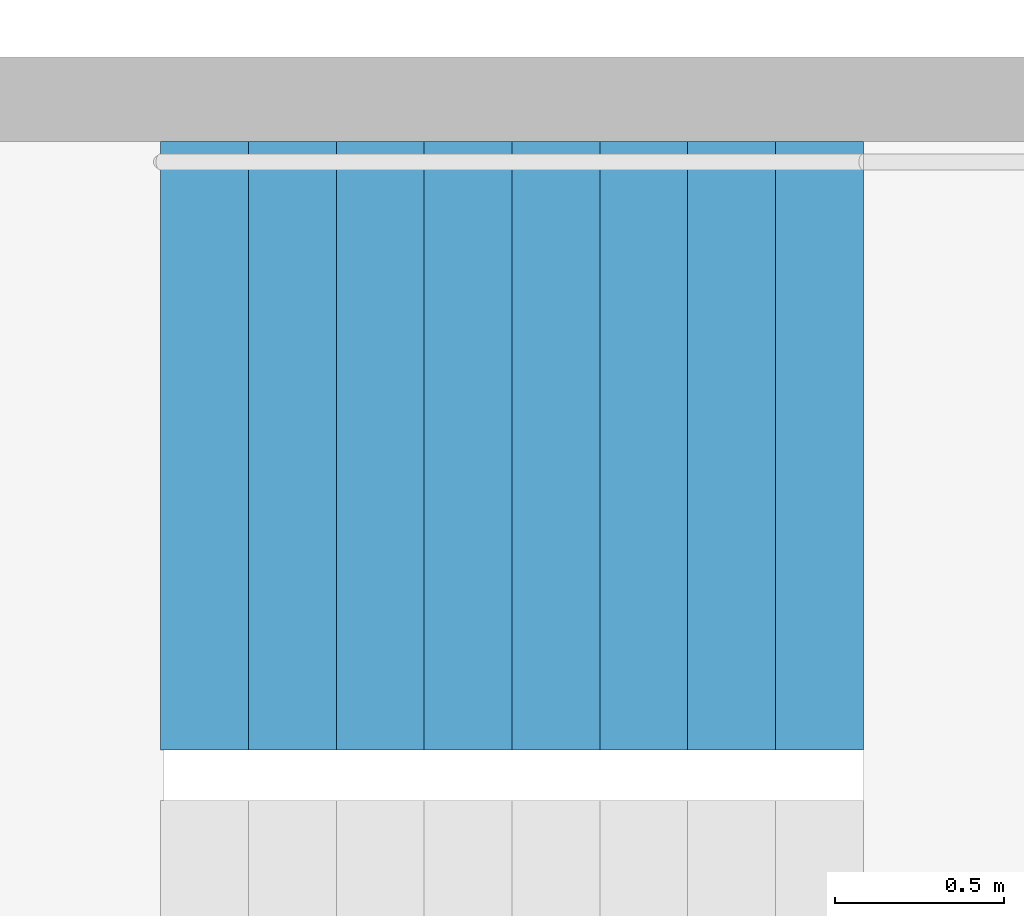
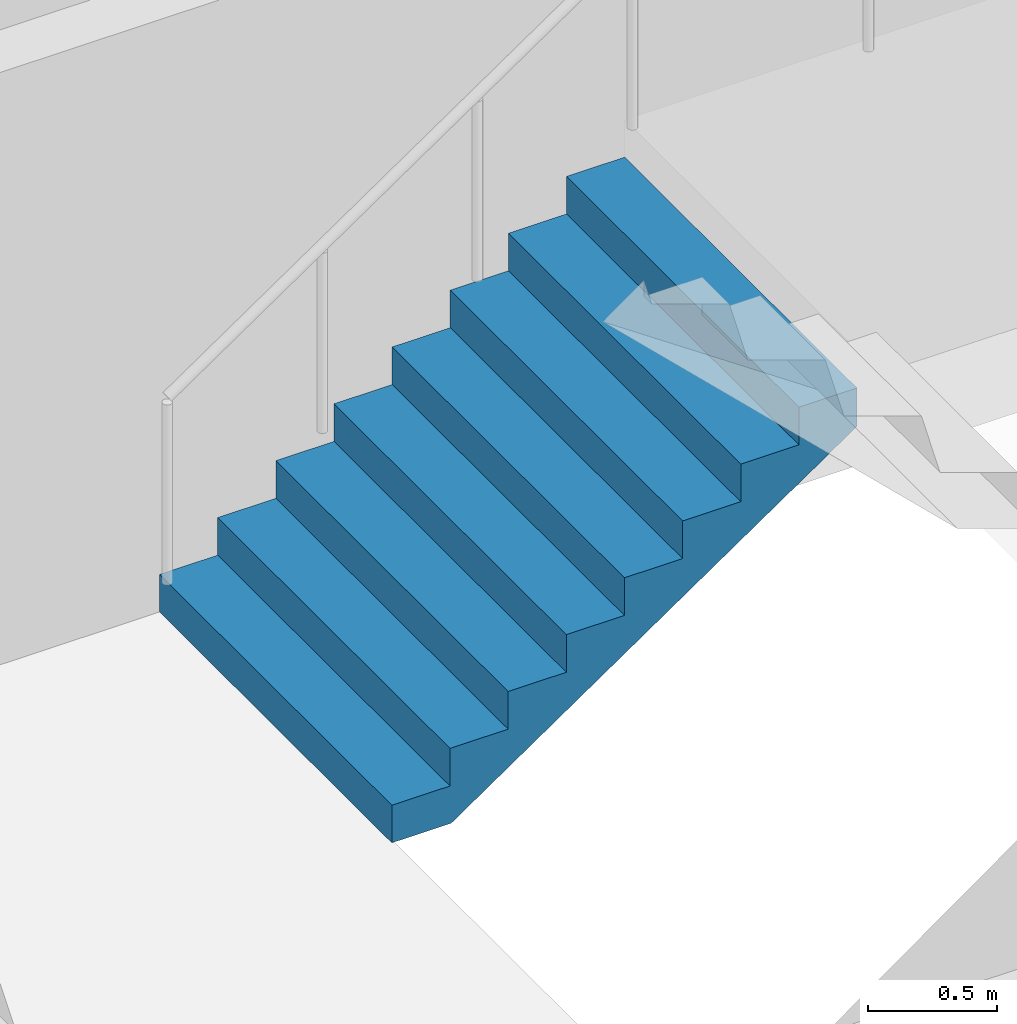
# One storey, part 25 of 34: 1 stair flight, 1 element without a shape of its own.
"""IFC4 building model written with IfcOpenShell, lengths in metres."""

from ifc_helpers import new_model, si_unit, direction, frame, origin, place, context, subcontext, project, spatial, triangles, material, type_object, element, aggregate, save


model = new_model("IFC4")

# Units and contexts
model_context = context("Model", 3, precision=1e-05, world=origin(), true_north=direction((0.0, 1.0)))
body_context = subcontext(model_context, "Body", "Model", "MODEL_VIEW")
ifc_project = project(units=[si_unit("LENGTHUNIT", "METRE"), si_unit("AREAUNIT", "SQUARE_METRE"), si_unit("VOLUMEUNIT", "CUBIC_METRE"), si_unit("PLANEANGLEUNIT", "RADIAN"), si_unit("MASSUNIT", "GRAM", prefix="KILO")], contexts=[model_context])

# Site, building, storey
site_placement = place(None, origin())
site = spatial("IfcSite", under=ifc_project, at=site_placement, CompositionType="ELEMENT")
building_placement = place(site_placement, origin())
building = spatial("IfcBuilding", under=site, at=building_placement, Name="Hakoniwa Tower and Hamabe Station Hall", CompositionType="ELEMENT")
storey_placement = place(building_placement, frame((0.0, 0.0, 94.60009765625)))
storey = spatial("IfcBuildingStorey", under=building, at=storey_placement, Name="L26", CompositionType="ELEMENT", Elevation=94.60009765625)

# Stair, stair flight
ifc_material_1 = material(Name="Concrete C40", Category="concrete")
stair_type = type_object("IfcStairType", Name="ESCAPE STAIR 1800", PredefinedType="HALF_TURN_STAIR", material=ifc_material_1)
stair_placement = place(storey_placement, origin())
stair = element("IfcStair", 1, at=stair_placement, inside=storey, type_object=stair_type, Name="Escape stair ST-4 L26", PredefinedType="HALF_TURN_STAIR")
ifc_material_2 = material(Name="Concrete C40", Category="concrete")
stair_flight_type = type_object("IfcStairFlightType", Name="STAIR FLIGHT 1800", PredefinedType="STRAIGHT", material=ifc_material_2)
stair_flight_placement = place(storey_placement, frame((23.39990234375, -4.64990234375, 0.0), z_axis=(0.0, 0.0, 1.0), x_axis=(1.0, 0.0, 0.0)))
stair_flight = element("IfcStairFlight", 2, at=stair_flight_placement, type_object=stair_flight_type, Name="ST-4 flight 1", NumberOfRisers=9, NumberOfTreads=8, PredefinedType="STRAIGHT", RiserHeight=0.177777778, TreadLength=0.26, context=body_context, shape_type="Tessellation", body=[
    triangles([(0.0, 0.89990234375, 0.0), (0.260009765625, 0.89990234375, 0.0), (0.265625, 0.89990234375, 0.0), (0.52001953125, 0.89990234375, 0.174072265625), (0.780029296875, 0.89990234375, 0.351806640625), (1.0400390625, 0.89990234375, 0.529541015625), (1.300048828125, 0.89990234375, 0.707275390625), (1.56005859375, 0.89990234375, 0.885009765625), (1.820068359375, 0.89990234375, 1.062744140625), (2.080078125, 0.89990234375, 1.24072265625), (2.080078125, 0.89990234375, 1.422119140625), (1.820068359375, 0.89990234375, 1.422119140625), (1.820068359375, 0.89990234375, 1.244384765625), (1.56005859375, 0.89990234375, 1.244384765625), (1.56005859375, 0.89990234375, 1.066650390625), (1.300048828125, 0.89990234375, 1.066650390625), (1.300048828125, 0.89990234375, 0.888916015625), (1.0400390625, 0.89990234375, 0.888916015625), (1.0400390625, 0.89990234375, 0.711181640625), (0.780029296875, 0.89990234375, 0.711181640625), (0.780029296875, 0.89990234375, 0.533447265625), (0.52001953125, 0.89990234375, 0.533447265625), (0.52001953125, 0.89990234375, 0.35546875), (0.265625, 0.89990234375, 0.35546875), (0.260009765625, 0.89990234375, 0.35546875), (0.260009765625, 0.89990234375, 0.177734375), (0.0, 0.89990234375, 0.177734375), (0.0, 0.06005859375, 0.0), (0.260009765625, 0.06005859375, 0.0), (0.265625, 0.06005859375, 0.0), (0.52001953125, 0.06005859375, 0.174072265625), (0.780029296875, 0.06005859375, 0.351806640625), (1.0400390625, 0.06005859375, 0.529541015625), (1.300048828125, 0.06005859375, 0.707275390625), (1.56005859375, 0.06005859375, 0.885009765625), (1.820068359375, 0.06005859375, 1.062744140625), (2.080078125, 0.06005859375, 1.24072265625), (2.080078125, 0.06005859375, 1.422119140625), (1.820068359375, 0.06005859375, 1.422119140625), (1.820068359375, 0.06005859375, 1.244384765625), (1.56005859375, 0.06005859375, 1.244384765625), (1.56005859375, 0.06005859375, 1.066650390625), (1.300048828125, 0.06005859375, 1.066650390625), (1.300048828125, 0.06005859375, 0.888916015625), (1.0400390625, 0.06005859375, 0.888916015625), (1.0400390625, 0.06005859375, 0.711181640625), (0.780029296875, 0.06005859375, 0.711181640625), (0.780029296875, 0.06005859375, 0.533447265625), (0.52001953125, 0.06005859375, 0.533447265625), (0.52001953125, 0.06005859375, 0.35546875), (0.265625, 0.06005859375, 0.35546875), (0.260009765625, 0.06005859375, 0.35546875), (0.260009765625, 0.06005859375, 0.177734375), (0.0, 0.06005859375, 0.177734375), (0.0, 0.04296875, 0.0), (0.260009765625, 0.04296875, 0.0), (0.265625, 0.04296875, 0.0), (0.52001953125, 0.04296875, 0.174072265625), (0.780029296875, 0.04296875, 0.351806640625), (1.0400390625, 0.04296875, 0.529541015625), (1.300048828125, 0.04296875, 0.707275390625), (1.56005859375, 0.04296875, 0.885009765625), (1.820068359375, 0.04296875, 1.062744140625), (2.080078125, 0.04296875, 1.24072265625), (2.080078125, 0.04296875, 1.422119140625), (1.820068359375, 0.04296875, 1.422119140625), (1.820068359375, 0.04296875, 1.244384765625), (1.56005859375, 0.04296875, 1.244384765625), (1.56005859375, 0.04296875, 1.066650390625), (1.300048828125, 0.04296875, 1.066650390625), (1.300048828125, 0.04296875, 0.888916015625), (1.0400390625, 0.04296875, 0.888916015625), (1.0400390625, 0.04296875, 0.711181640625), (0.780029296875, 0.04296875, 0.711181640625), (0.780029296875, 0.04296875, 0.533447265625), (0.52001953125, 0.04296875, 0.533447265625), (0.52001953125, 0.04296875, 0.35546875), (0.265625, 0.04296875, 0.35546875), (0.260009765625, 0.04296875, 0.35546875), (0.260009765625, 0.04296875, 0.177734375), (0.0, 0.04296875, 0.177734375), (0.0, 0.025634765625, 0.0), (0.260009765625, 0.025634765625, 0.0), (0.265625, 0.025634765625, 0.0), (0.52001953125, 0.025634765625, 0.174072265625), (0.780029296875, 0.025634765625, 0.351806640625), (1.0400390625, 0.025634765625, 0.529541015625), (1.300048828125, 0.025634765625, 0.707275390625), (1.56005859375, 0.025634765625, 0.885009765625), (1.820068359375, 0.025634765625, 1.062744140625), (2.080078125, 0.025634765625, 1.24072265625), (2.080078125, 0.025634765625, 1.422119140625), (1.820068359375, 0.025634765625, 1.422119140625), (1.820068359375, 0.025634765625, 1.244384765625), (1.56005859375, 0.025634765625, 1.244384765625), (1.56005859375, 0.025634765625, 1.066650390625), (1.300048828125, 0.025634765625, 1.066650390625), (1.300048828125, 0.025634765625, 0.888916015625), (1.0400390625, 0.025634765625, 0.888916015625), (1.0400390625, 0.025634765625, 0.711181640625), (0.780029296875, 0.025634765625, 0.711181640625), (0.780029296875, 0.025634765625, 0.533447265625), (0.52001953125, 0.025634765625, 0.533447265625), (0.52001953125, 0.025634765625, 0.35546875), (0.265625, 0.025634765625, 0.35546875), (0.260009765625, 0.025634765625, 0.35546875), (0.260009765625, 0.025634765625, 0.177734375), (0.0, 0.025634765625, 0.177734375), (0.0, 0.008544921875, 0.0), (0.260009765625, 0.008544921875, 0.0), (0.265625, 0.008544921875, 0.0), (0.52001953125, 0.008544921875, 0.174072265625), (0.780029296875, 0.008544921875, 0.351806640625), (1.0400390625, 0.008544921875, 0.529541015625), (1.300048828125, 0.008544921875, 0.707275390625), (1.56005859375, 0.008544921875, 0.885009765625), (1.820068359375, 0.008544921875, 1.062744140625), (2.080078125, 0.008544921875, 1.24072265625), (2.080078125, 0.008544921875, 1.422119140625), (1.820068359375, 0.008544921875, 1.422119140625), (1.820068359375, 0.008544921875, 1.244384765625), (1.56005859375, 0.008544921875, 1.244384765625), (1.56005859375, 0.008544921875, 1.066650390625), (1.300048828125, 0.008544921875, 1.066650390625), (1.300048828125, 0.008544921875, 0.888916015625), (1.0400390625, 0.008544921875, 0.888916015625), (1.0400390625, 0.008544921875, 0.711181640625), (0.780029296875, 0.008544921875, 0.711181640625), (0.780029296875, 0.008544921875, 0.533447265625), (0.52001953125, 0.008544921875, 0.533447265625), (0.52001953125, 0.008544921875, 0.35546875), (0.265625, 0.008544921875, 0.35546875), (0.260009765625, 0.008544921875, 0.35546875), (0.260009765625, 0.008544921875, 0.177734375), (0.0, 0.008544921875, 0.177734375), (0.0, -0.008544921875, 0.0), (0.260009765625, -0.008544921875, 0.0), (0.265625, -0.008544921875, 0.0), (0.52001953125, -0.008544921875, 0.174072265625), (0.780029296875, -0.008544921875, 0.351806640625), (1.0400390625, -0.008544921875, 0.529541015625), (1.300048828125, -0.008544921875, 0.707275390625), (1.56005859375, -0.008544921875, 0.885009765625), (1.820068359375, -0.008544921875, 1.062744140625), (2.080078125, -0.008544921875, 1.24072265625), (2.080078125, -0.008544921875, 1.422119140625), (1.820068359375, -0.008544921875, 1.422119140625), (1.820068359375, -0.008544921875, 1.244384765625), (1.56005859375, -0.008544921875, 1.244384765625), (1.56005859375, -0.008544921875, 1.066650390625), (1.300048828125, -0.008544921875, 1.066650390625), (1.300048828125, -0.008544921875, 0.888916015625), (1.0400390625, -0.008544921875, 0.888916015625), (1.0400390625, -0.008544921875, 0.711181640625), (0.780029296875, -0.008544921875, 0.711181640625), (0.780029296875, -0.008544921875, 0.533447265625), (0.52001953125, -0.008544921875, 0.533447265625), (0.52001953125, -0.008544921875, 0.35546875), (0.265625, -0.008544921875, 0.35546875), (0.260009765625, -0.008544921875, 0.35546875), (0.260009765625, -0.008544921875, 0.177734375), (0.0, -0.008544921875, 0.177734375), (0.0, -0.025634765625, 0.0), (0.260009765625, -0.025634765625, 0.0), (0.265625, -0.025634765625, 0.0), (0.52001953125, -0.025634765625, 0.174072265625), (0.780029296875, -0.025634765625, 0.351806640625), (1.0400390625, -0.025634765625, 0.529541015625), (1.300048828125, -0.025634765625, 0.707275390625), (1.56005859375, -0.025634765625, 0.885009765625), (1.820068359375, -0.025634765625, 1.062744140625), (2.080078125, -0.025634765625, 1.24072265625), (2.080078125, -0.025634765625, 1.422119140625), (1.820068359375, -0.025634765625, 1.422119140625), (1.820068359375, -0.025634765625, 1.244384765625), (1.56005859375, -0.025634765625, 1.244384765625), (1.56005859375, -0.025634765625, 1.066650390625), (1.300048828125, -0.025634765625, 1.066650390625), (1.300048828125, -0.025634765625, 0.888916015625), (1.0400390625, -0.025634765625, 0.888916015625), (1.0400390625, -0.025634765625, 0.711181640625), (0.780029296875, -0.025634765625, 0.711181640625), (0.780029296875, -0.025634765625, 0.533447265625), (0.52001953125, -0.025634765625, 0.533447265625), (0.52001953125, -0.025634765625, 0.35546875), (0.265625, -0.025634765625, 0.35546875), (0.260009765625, -0.025634765625, 0.35546875), (0.260009765625, -0.025634765625, 0.177734375), (0.0, -0.025634765625, 0.177734375), (0.0, -0.04296875, 0.0), (0.260009765625, -0.04296875, 0.0), (0.265625, -0.04296875, 0.0), (0.52001953125, -0.04296875, 0.174072265625), (0.780029296875, -0.04296875, 0.351806640625), (1.0400390625, -0.04296875, 0.529541015625), (1.300048828125, -0.04296875, 0.707275390625), (1.56005859375, -0.04296875, 0.885009765625), (1.820068359375, -0.04296875, 1.062744140625), (2.080078125, -0.04296875, 1.24072265625), (2.080078125, -0.04296875, 1.422119140625), (1.820068359375, -0.04296875, 1.422119140625), (1.820068359375, -0.04296875, 1.244384765625), (1.56005859375, -0.04296875, 1.244384765625), (1.56005859375, -0.04296875, 1.066650390625), (1.300048828125, -0.04296875, 1.066650390625), (1.300048828125, -0.04296875, 0.888916015625), (1.0400390625, -0.04296875, 0.888916015625), (1.0400390625, -0.04296875, 0.711181640625), (0.780029296875, -0.04296875, 0.711181640625), (0.780029296875, -0.04296875, 0.533447265625), (0.52001953125, -0.04296875, 0.533447265625), (0.52001953125, -0.04296875, 0.35546875), (0.265625, -0.04296875, 0.35546875), (0.260009765625, -0.04296875, 0.35546875), (0.260009765625, -0.04296875, 0.177734375), (0.0, -0.04296875, 0.177734375), (0.0, -0.06005859375, 0.0), (0.260009765625, -0.06005859375, 0.0), (0.265625, -0.06005859375, 0.0), (0.52001953125, -0.06005859375, 0.174072265625), (0.780029296875, -0.06005859375, 0.351806640625), (1.0400390625, -0.06005859375, 0.529541015625), (1.300048828125, -0.06005859375, 0.707275390625), (1.56005859375, -0.06005859375, 0.885009765625), (1.820068359375, -0.06005859375, 1.062744140625), (2.080078125, -0.06005859375, 1.24072265625), (2.080078125, -0.06005859375, 1.422119140625), (1.820068359375, -0.06005859375, 1.422119140625), (1.820068359375, -0.06005859375, 1.244384765625), (1.56005859375, -0.06005859375, 1.244384765625), (1.56005859375, -0.06005859375, 1.066650390625), (1.300048828125, -0.06005859375, 1.066650390625), (1.300048828125, -0.06005859375, 0.888916015625), (1.0400390625, -0.06005859375, 0.888916015625), (1.0400390625, -0.06005859375, 0.711181640625), (0.780029296875, -0.06005859375, 0.711181640625), (0.780029296875, -0.06005859375, 0.533447265625), (0.52001953125, -0.06005859375, 0.533447265625), (0.52001953125, -0.06005859375, 0.35546875), (0.265625, -0.06005859375, 0.35546875), (0.260009765625, -0.06005859375, 0.35546875), (0.260009765625, -0.06005859375, 0.177734375), (0.0, -0.06005859375, 0.177734375), (0.0, -0.89990234375, 0.0), (0.260009765625, -0.89990234375, 0.0), (0.265625, -0.89990234375, 0.0), (0.52001953125, -0.89990234375, 0.174072265625), (0.780029296875, -0.89990234375, 0.351806640625), (1.0400390625, -0.89990234375, 0.529541015625), (1.300048828125, -0.89990234375, 0.707275390625), (1.56005859375, -0.89990234375, 0.885009765625), (1.820068359375, -0.89990234375, 1.062744140625), (2.080078125, -0.89990234375, 1.24072265625), (2.080078125, -0.89990234375, 1.422119140625), (1.820068359375, -0.89990234375, 1.422119140625), (1.820068359375, -0.89990234375, 1.244384765625), (1.56005859375, -0.89990234375, 1.244384765625), (1.56005859375, -0.89990234375, 1.066650390625), (1.300048828125, -0.89990234375, 1.066650390625), (1.300048828125, -0.89990234375, 0.888916015625), (1.0400390625, -0.89990234375, 0.888916015625), (1.0400390625, -0.89990234375, 0.711181640625), (0.780029296875, -0.89990234375, 0.711181640625), (0.780029296875, -0.89990234375, 0.533447265625), (0.52001953125, -0.89990234375, 0.533447265625), (0.52001953125, -0.89990234375, 0.35546875), (0.265625, -0.89990234375, 0.35546875), (0.260009765625, -0.89990234375, 0.35546875), (0.260009765625, -0.89990234375, 0.177734375), (0.0, -0.89990234375, 0.177734375)], [[2, 27, 26], [245, 269, 270], [2, 1, 27], [245, 270, 244], [3, 25, 24], [246, 267, 268], [3, 26, 25], [246, 268, 269], [3, 2, 26], [246, 269, 245], [4, 24, 23], [247, 266, 267], [4, 3, 24], [247, 267, 246], [5, 22, 21], [248, 264, 265], [5, 23, 22], [248, 265, 266], [5, 4, 23], [248, 266, 247], [6, 20, 19], [249, 262, 263], [6, 21, 20], [249, 263, 264], [6, 5, 21], [249, 264, 248], [7, 18, 17], [250, 260, 261], [7, 19, 18], [250, 261, 262], [7, 6, 19], [250, 262, 249], [8, 16, 15], [251, 258, 259], [8, 17, 16], [251, 259, 260], [8, 7, 17], [251, 260, 250], [9, 14, 13], [252, 256, 257], [9, 15, 14], [252, 257, 258], [9, 8, 15], [252, 258, 251], [10, 12, 11], [253, 254, 255], [10, 13, 12], [253, 255, 256], [10, 9, 13], [253, 256, 252], [1, 2, 29], [1, 29, 28], [28, 29, 56], [28, 56, 55], [55, 56, 83], [55, 83, 82], [82, 83, 110], [82, 110, 109], [109, 110, 137], [109, 137, 136], [136, 137, 164], [136, 164, 163], [163, 164, 191], [163, 191, 190], [190, 191, 218], [190, 218, 217], [217, 218, 245], [217, 245, 244], [2, 3, 30], [2, 30, 29], [29, 30, 57], [29, 57, 56], [56, 57, 84], [56, 84, 83], [83, 84, 111], [83, 111, 110], [110, 111, 138], [110, 138, 137], [137, 138, 165], [137, 165, 164], [164, 165, 192], [164, 192, 191], [191, 192, 219], [191, 219, 218], [218, 219, 246], [218, 246, 245], [3, 4, 31], [3, 31, 30], [30, 31, 58], [30, 58, 57], [57, 58, 85], [57, 85, 84], [84, 85, 112], [84, 112, 111], [111, 112, 139], [111, 139, 138], [138, 139, 166], [138, 166, 165], [165, 166, 193], [165, 193, 192], [192, 193, 220], [192, 220, 219], [219, 220, 247], [219, 247, 246], [4, 5, 32], [4, 32, 31], [31, 32, 59], [31, 59, 58], [58, 59, 86], [58, 86, 85], [85, 86, 113], [85, 113, 112], [112, 113, 140], [112, 140, 139], [139, 140, 167], [139, 167, 166], [166, 167, 194], [166, 194, 193], [193, 194, 221], [193, 221, 220], [220, 221, 248], [220, 248, 247], [5, 6, 33], [5, 33, 32], [32, 33, 60], [32, 60, 59], [59, 60, 87], [59, 87, 86], [86, 87, 114], [86, 114, 113], [113, 114, 141], [113, 141, 140], [140, 141, 168], [140, 168, 167], [167, 168, 195], [167, 195, 194], [194, 195, 222], [194, 222, 221], [221, 222, 249], [221, 249, 248], [6, 7, 34], [6, 34, 33], [33, 34, 61], [33, 61, 60], [60, 61, 88], [60, 88, 87], [87, 88, 115], [87, 115, 114], [114, 115, 142], [114, 142, 141], [141, 142, 169], [141, 169, 168], [168, 169, 196], [168, 196, 195], [195, 196, 223], [195, 223, 222], [222, 223, 250], [222, 250, 249], [7, 8, 35], [7, 35, 34], [34, 35, 62], [34, 62, 61], [61, 62, 89], [61, 89, 88], [88, 89, 116], [88, 116, 115], [115, 116, 143], [115, 143, 142], [142, 143, 170], [142, 170, 169], [169, 170, 197], [169, 197, 196], [196, 197, 224], [196, 224, 223], [223, 224, 251], [223, 251, 250], [8, 9, 36], [8, 36, 35], [35, 36, 63], [35, 63, 62], [62, 63, 90], [62, 90, 89], [89, 90, 117], [89, 117, 116], [116, 117, 144], [116, 144, 143], [143, 144, 171], [143, 171, 170], [170, 171, 198], [170, 198, 197], [197, 198, 225], [197, 225, 224], [224, 225, 252], [224, 252, 251], [9, 10, 37], [9, 37, 36], [36, 37, 64], [36, 64, 63], [63, 64, 91], [63, 91, 90], [90, 91, 118], [90, 118, 117], [117, 118, 145], [117, 145, 144], [144, 145, 172], [144, 172, 171], [171, 172, 199], [171, 199, 198], [198, 199, 226], [198, 226, 225], [225, 226, 253], [225, 253, 252], [10, 11, 38], [10, 38, 37], [37, 38, 65], [37, 65, 64], [64, 65, 92], [64, 92, 91], [91, 92, 119], [91, 119, 118], [118, 119, 146], [118, 146, 145], [145, 146, 173], [145, 173, 172], [172, 173, 200], [172, 200, 199], [199, 200, 227], [199, 227, 226], [226, 227, 254], [226, 254, 253], [11, 12, 39], [11, 39, 38], [38, 39, 66], [38, 66, 65], [65, 66, 93], [65, 93, 92], [92, 93, 120], [92, 120, 119], [119, 120, 147], [119, 147, 146], [146, 147, 174], [146, 174, 173], [173, 174, 201], [173, 201, 200], [200, 201, 228], [200, 228, 227], [227, 228, 255], [227, 255, 254], [12, 13, 40], [12, 40, 39], [39, 40, 67], [39, 67, 66], [66, 67, 94], [66, 94, 93], [93, 94, 121], [93, 121, 120], [120, 121, 148], [120, 148, 147], [147, 148, 175], [147, 175, 174], [174, 175, 202], [174, 202, 201], [201, 202, 229], [201, 229, 228], [228, 229, 256], [228, 256, 255], [13, 14, 41], [13, 41, 40], [40, 41, 68], [40, 68, 67], [67, 68, 95], [67, 95, 94], [94, 95, 122], [94, 122, 121], [121, 122, 149], [121, 149, 148], [148, 149, 176], [148, 176, 175], [175, 176, 203], [175, 203, 202], [202, 203, 230], [202, 230, 229], [229, 230, 257], [229, 257, 256], [14, 15, 42], [14, 42, 41], [41, 42, 69], [41, 69, 68], [68, 69, 96], [68, 96, 95], [95, 96, 123], [95, 123, 122], [122, 123, 150], [122, 150, 149], [149, 150, 177], [149, 177, 176], [176, 177, 204], [176, 204, 203], [203, 204, 231], [203, 231, 230], [230, 231, 258], [230, 258, 257], [15, 16, 43], [15, 43, 42], [42, 43, 70], [42, 70, 69], [69, 70, 97], [69, 97, 96], [96, 97, 124], [96, 124, 123], [123, 124, 151], [123, 151, 150], [150, 151, 178], [150, 178, 177], [177, 178, 205], [177, 205, 204], [204, 205, 232], [204, 232, 231], [231, 232, 259], [231, 259, 258], [16, 17, 44], [16, 44, 43], [43, 44, 71], [43, 71, 70], [70, 71, 98], [70, 98, 97], [97, 98, 125], [97, 125, 124], [124, 125, 152], [124, 152, 151], [151, 152, 179], [151, 179, 178], [178, 179, 206], [178, 206, 205], [205, 206, 233], [205, 233, 232], [232, 233, 260], [232, 260, 259], [17, 18, 45], [17, 45, 44], [44, 45, 72], [44, 72, 71], [71, 72, 99], [71, 99, 98], [98, 99, 126], [98, 126, 125], [125, 126, 153], [125, 153, 152], [152, 153, 180], [152, 180, 179], [179, 180, 207], [179, 207, 206], [206, 207, 234], [206, 234, 233], [233, 234, 261], [233, 261, 260], [18, 19, 46], [18, 46, 45], [45, 46, 73], [45, 73, 72], [72, 73, 100], [72, 100, 99], [99, 100, 127], [99, 127, 126], [126, 127, 154], [126, 154, 153], [153, 154, 181], [153, 181, 180], [180, 181, 208], [180, 208, 207], [207, 208, 235], [207, 235, 234], [234, 235, 262], [234, 262, 261], [19, 20, 47], [19, 47, 46], [46, 47, 74], [46, 74, 73], [73, 74, 101], [73, 101, 100], [100, 101, 128], [100, 128, 127], [127, 128, 155], [127, 155, 154], [154, 155, 182], [154, 182, 181], [181, 182, 209], [181, 209, 208], [208, 209, 236], [208, 236, 235], [235, 236, 263], [235, 263, 262], [20, 21, 48], [20, 48, 47], [47, 48, 75], [47, 75, 74], [74, 75, 102], [74, 102, 101], [101, 102, 129], [101, 129, 128], [128, 129, 156], [128, 156, 155], [155, 156, 183], [155, 183, 182], [182, 183, 210], [182, 210, 209], [209, 210, 237], [209, 237, 236], [236, 237, 264], [236, 264, 263], [21, 22, 49], [21, 49, 48], [48, 49, 76], [48, 76, 75], [75, 76, 103], [75, 103, 102], [102, 103, 130], [102, 130, 129], [129, 130, 157], [129, 157, 156], [156, 157, 184], [156, 184, 183], [183, 184, 211], [183, 211, 210], [210, 211, 238], [210, 238, 237], [237, 238, 265], [237, 265, 264], [22, 23, 50], [22, 50, 49], [49, 50, 77], [49, 77, 76], [76, 77, 104], [76, 104, 103], [103, 104, 131], [103, 131, 130], [130, 131, 158], [130, 158, 157], [157, 158, 185], [157, 185, 184], [184, 185, 212], [184, 212, 211], [211, 212, 239], [211, 239, 238], [238, 239, 266], [238, 266, 265], [23, 24, 51], [23, 51, 50], [50, 51, 78], [50, 78, 77], [77, 78, 105], [77, 105, 104], [104, 105, 132], [104, 132, 131], [131, 132, 159], [131, 159, 158], [158, 159, 186], [158, 186, 185], [185, 186, 213], [185, 213, 212], [212, 213, 240], [212, 240, 239], [239, 240, 267], [239, 267, 266], [24, 25, 52], [24, 52, 51], [51, 52, 79], [51, 79, 78], [78, 79, 106], [78, 106, 105], [105, 106, 133], [105, 133, 132], [132, 133, 160], [132, 160, 159], [159, 160, 187], [159, 187, 186], [186, 187, 214], [186, 214, 213], [213, 214, 241], [213, 241, 240], [240, 241, 268], [240, 268, 267], [25, 26, 53], [25, 53, 52], [52, 53, 80], [52, 80, 79], [79, 80, 107], [79, 107, 106], [106, 107, 134], [106, 134, 133], [133, 134, 161], [133, 161, 160], [160, 161, 188], [160, 188, 187], [187, 188, 215], [187, 215, 214], [214, 215, 242], [214, 242, 241], [241, 242, 269], [241, 269, 268], [26, 27, 54], [26, 54, 53], [53, 54, 81], [53, 81, 80], [80, 81, 108], [80, 108, 107], [107, 108, 135], [107, 135, 134], [134, 135, 162], [134, 162, 161], [161, 162, 189], [161, 189, 188], [188, 189, 216], [188, 216, 215], [215, 216, 243], [215, 243, 242], [242, 243, 270], [242, 270, 269], [27, 1, 28], [27, 28, 54], [54, 28, 55], [54, 55, 81], [81, 55, 82], [81, 82, 108], [108, 82, 109], [108, 109, 135], [135, 109, 136], [135, 136, 162], [162, 136, 163], [162, 163, 189], [189, 163, 190], [189, 190, 216], [216, 190, 217], [216, 217, 243], [243, 217, 244], [243, 244, 270]], closed=True),
])
aggregate(stair, [stair_flight])

save(model, "model.ifc")
